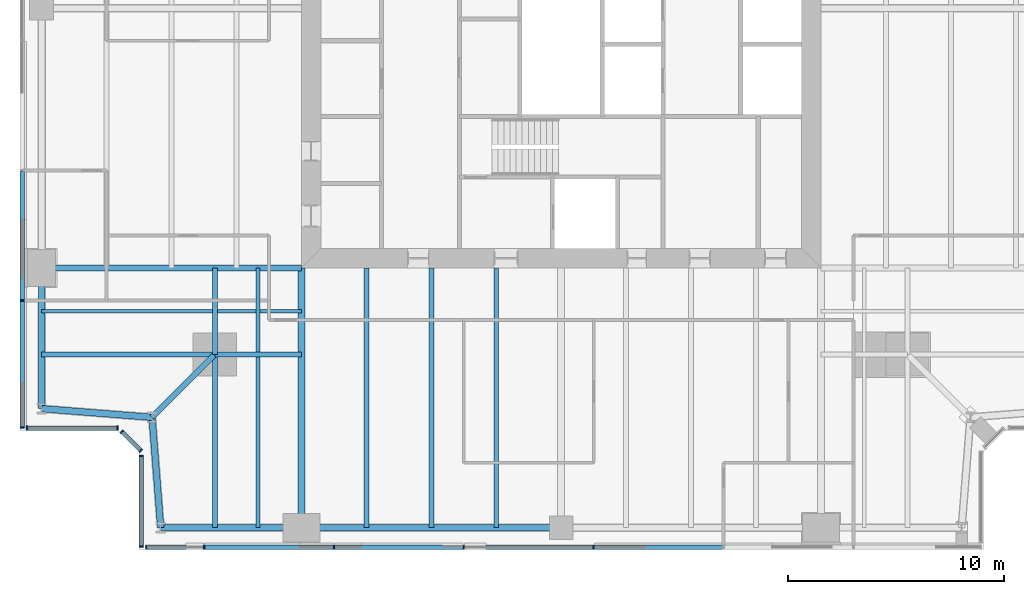
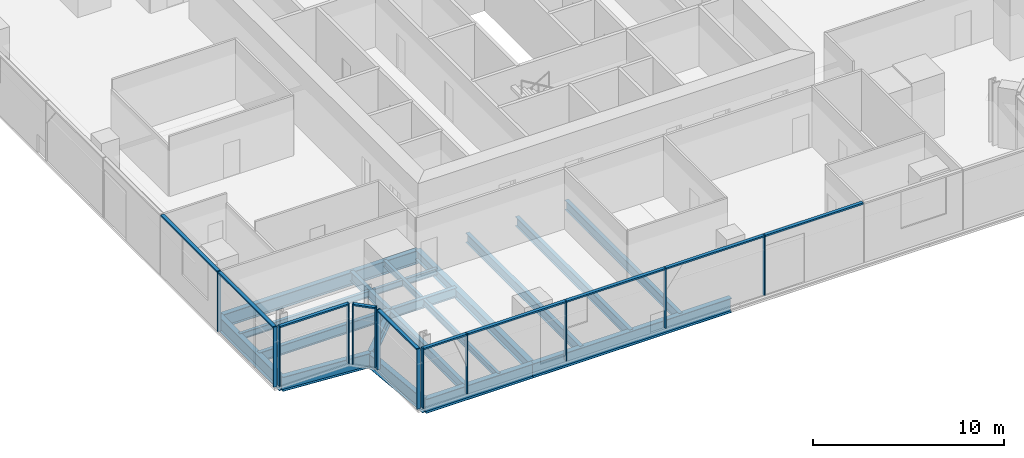
# One storey, part 2 of 14: 23 members, 20 beams, 5 elements without a shape of their own.
"""IFC4 building model written with IfcOpenShell, lengths in metres."""

from ifc_helpers import new_model, si_unit, direction, frame, origin, origin_2d, place, context, subcontext, project, spatial, rectangle, i_section, extrude, material, material_profile, profile_set, type_object, element, aggregate, save


model = new_model("IFC4")

# Units and contexts
model_context = context("Model", 3, precision=1e-05, world=origin(), true_north=direction((0.0, 1.0)))
body_context = subcontext(model_context, "Body", "Model", "MODEL_VIEW")
ifc_project = project(units=[si_unit("LENGTHUNIT", "METRE"), si_unit("AREAUNIT", "SQUARE_METRE"), si_unit("VOLUMEUNIT", "CUBIC_METRE"), si_unit("PLANEANGLEUNIT", "RADIAN"), si_unit("MASSUNIT", "GRAM", prefix="KILO")], contexts=[model_context])

# Site, building, storey
site_placement = place(None, origin())
site = spatial("IfcSite", under=ifc_project, at=site_placement, CompositionType="ELEMENT")
building_placement = place(site_placement, origin())
building = spatial("IfcBuilding", under=site, at=building_placement, Name="Fenwick Lantern Interchange", CompositionType="ELEMENT")
storey_placement = place(building_placement, frame((0.0, 0.0, 205.800048828125)))
storey = spatial("IfcBuildingStorey", under=building, at=storey_placement, Name="L48", CompositionType="ELEMENT", Elevation=205.800048828125)

# Beams
ifc_material_1 = material(Name="Steel ASTM A992 Grade 50", Category="steel")
ifc_material_profile_1 = material_profile(ifc_material_1, i_section(OverallWidth=0.3046875, OverallDepth=0.911865234375, WebThickness=0.015869140625, FlangeThickness=0.02392578125, at=origin_2d()), Name="W36X150")
ifc_profile_set_1 = profile_set([ifc_material_profile_1], Name="Steel ASTM A992 Grade 50")
beam_type_1 = type_object("IfcBeamType", Name="EDGE BEAM W36X150", PredefinedType="SPANDREL", material=ifc_profile_set_1)
beam_1_placement = place(storey_placement, frame((6.5, 1.0, -0.60595703125), z_axis=(1.0, 0.0, 0.0), x_axis=(0.0, 1.0, 0.0)))
element("IfcBeam", 1, at=beam_1_placement, inside=storey, type_object=beam_type_1, Name="L48/FR/S/EB1", PredefinedType="SPANDREL", context=body_context, shape_type="SweptSolid", body=[
    extrude(i_section(OverallWidth=0.3046875, OverallDepth=0.911865234375, WebThickness=0.015869140625, FlangeThickness=0.02392578125, at=origin_2d()), origin(), (0.0, 0.0, 1.0), 6.5),
])
beam_2_placement = place(storey_placement, frame((13.0, 1.0, -0.60595703125), z_axis=(1.0, 0.0, 0.0), x_axis=(0.0, 1.0, 0.0)))
element("IfcBeam", 2, at=beam_2_placement, inside=storey, type_object=beam_type_1, Name="L48/FR/S/EB2", PredefinedType="SPANDREL", context=body_context, shape_type="SweptSolid", body=[
    extrude(i_section(OverallWidth=0.3046875, OverallDepth=0.911865234375, WebThickness=0.015869140625, FlangeThickness=0.02392578125, at=origin_2d()), origin(), (0.0, 0.0, 1.0), 12.0),
])
beam_3_placement = place(storey_placement, frame((1.0, 13.0, -0.60595703125), z_axis=(0.0, -1.0, 0.0), x_axis=(1.0, 0.0, 0.0)))
element("IfcBeam", 3, at=beam_3_placement, inside=storey, type_object=beam_type_1, Name="L48/FR/W/EB4", PredefinedType="SPANDREL", context=body_context, shape_type="SweptSolid", body=[
    extrude(i_section(OverallWidth=0.3046875, OverallDepth=0.911865234375, WebThickness=0.015869140625, FlangeThickness=0.02392578125, at=origin_2d()), origin(), (0.0, 0.0, 1.0), 6.5),
])
for number, where, z_axis, x_axis, name in (
    (4, (1.0, 6.5, -0.60595703125), (0.99693998236, -0.078170784639, 0.0), (0.078170784639, 0.99693998236, 0.0), "L48/FR/W/EBR1"),
    (5, (6.10009765625, 6.10009765625, -0.60595703125), (0.078170784639, -0.99693998236, 0.0), (0.99693998236, 0.078170784639, 0.0), "L48/FR/W/EBR2"),
):
    element("IfcBeam", number, at=place(storey_placement, frame(where, z_axis=z_axis, x_axis=x_axis)), inside=storey, type_object=beam_type_1, Name=name, PredefinedType="SPANDREL", context=body_context, shape_type="SweptSolid", body=[
        extrude(i_section(OverallWidth=0.3046875, OverallDepth=0.911865234375, WebThickness=0.015869140625, FlangeThickness=0.02392578125, at=origin_2d()), origin(), (0.0, 0.0, 1.0), 5.11572265625),
    ])
ifc_material_profile_2 = material_profile(ifc_material_1, i_section(OverallWidth=0.22900390625, OverallDepth=0.612060546875, WebThickness=0.011962890625, FlangeThickness=0.01953125, at=origin_2d()), Name="W24X84")
ifc_profile_set_2 = profile_set([ifc_material_profile_2], Name="Steel ASTM A992 Grade 50")
beam_type_2 = type_object("IfcBeamType", Name="FLOOR BEAM W24X84", PredefinedType="BEAM", material=ifc_profile_set_2)
for number, where, z_axis, x_axis, name in (
    (6, (16.0, 1.0, -0.4560546875), (0.0, 1.0, 0.0), (-1.0, 0.0, 0.0), "L48/FR/S/R02"),
    (7, (19.0, 1.0, -0.4560546875), (0.0, 1.0, 0.0), (-1.0, 0.0, 0.0), "L48/FR/S/R03"),
    (8, (22.0, 1.0, -0.4560546875), (0.0, 1.0, 0.0), (-1.0, 0.0, 0.0), "L48/FR/S/R04"),
):
    element("IfcBeam", number, at=place(storey_placement, frame(where, z_axis=z_axis, x_axis=x_axis)), inside=storey, type_object=beam_type_2, Name=name, PredefinedType="BEAM", context=body_context, shape_type="SweptSolid", body=[
        extrude(i_section(OverallWidth=0.22900390625, OverallDepth=0.612060546875, WebThickness=0.011962890625, FlangeThickness=0.01953125, at=origin_2d()), origin(), (0.0, 0.0, 1.0), 12.0),
    ])
ifc_material_profile_3 = material_profile(ifc_material_1, i_section(OverallWidth=0.177734375, OverallDepth=0.406494140625, WebThickness=0.0078125, FlangeThickness=0.012939453125, at=origin_2d()), Name="W16X40")
ifc_profile_set_3 = profile_set([ifc_material_profile_3], Name="Steel ASTM A992 Grade 50")
beam_type_3 = type_object("IfcBeamType", Name="INFILL BEAM W16X40", PredefinedType="JOIST", material=ifc_profile_set_3)
beam_4_placement = place(storey_placement, frame((11.0, 1.0, -0.353271484375), z_axis=(0.0, 1.0, 0.0), x_axis=(-1.0, 0.0, 0.0)))
element("IfcBeam", 9, at=beam_4_placement, inside=storey, type_object=beam_type_3, Name="L48/FR/S/J1", PredefinedType="JOIST", context=body_context, shape_type="SweptSolid", body=[
    extrude(i_section(OverallWidth=0.177734375, OverallDepth=0.406494140625, WebThickness=0.0078125, FlangeThickness=0.012939453125, at=origin_2d()), origin(), (0.0, 0.0, 1.0), 7.885498046875),
])
beam_5_placement = place(storey_placement, frame((11.0, 9.114501953125, -0.353271484375), z_axis=(0.0, 1.0, 0.0), x_axis=(-1.0, 0.0, 0.0)))
element("IfcBeam", 10, at=beam_5_placement, inside=storey, type_object=beam_type_3, Name="L48/FR/S/J2", PredefinedType="JOIST", context=body_context, shape_type="SweptSolid", body=[
    extrude(i_section(OverallWidth=0.177734375, OverallDepth=0.406494140625, WebThickness=0.0078125, FlangeThickness=0.012939453125, at=origin_2d()), origin(), (0.0, 0.0, 1.0), 3.885498046875),
])
beam_6_placement = place(storey_placement, frame((1.0, 11.0, -0.353271484375), z_axis=(1.0, 0.0, 0.0), x_axis=(0.0, 1.0, 0.0)))
element("IfcBeam", 11, at=beam_6_placement, inside=storey, type_object=beam_type_3, Name="L48/FR/S/J3", PredefinedType="JOIST", context=body_context, shape_type="SweptSolid", body=[
    extrude(i_section(OverallWidth=0.177734375, OverallDepth=0.406494140625, WebThickness=0.0078125, FlangeThickness=0.012939453125, at=origin_2d()), origin(), (0.0, 0.0, 1.0), 7.885498046875),
])
beam_7_placement = place(storey_placement, frame((9.114501953125, 11.0, -0.353271484375), z_axis=(1.0, 0.0, 0.0), x_axis=(0.0, 1.0, 0.0)))
element("IfcBeam", 12, at=beam_7_placement, inside=storey, type_object=beam_type_3, Name="L48/FR/S/J4", PredefinedType="JOIST", context=body_context, shape_type="SweptSolid", body=[
    extrude(i_section(OverallWidth=0.177734375, OverallDepth=0.406494140625, WebThickness=0.0078125, FlangeThickness=0.012939453125, at=origin_2d()), origin(), (0.0, 0.0, 1.0), 1.796630859375),
])
beam_8_placement = place(storey_placement, frame((11.0888671875, 11.0, -0.353271484375), z_axis=(1.0, 0.0, 0.0), x_axis=(0.0, 1.0, 0.0)))
element("IfcBeam", 13, at=beam_8_placement, inside=storey, type_object=beam_type_3, Name="L48/FR/S/J5", PredefinedType="JOIST", context=body_context, shape_type="SweptSolid", body=[
    extrude(i_section(OverallWidth=0.177734375, OverallDepth=0.406494140625, WebThickness=0.0078125, FlangeThickness=0.012939453125, at=origin_2d()), origin(), (0.0, 0.0, 1.0), 1.9111328125),
])
ifc_material_profile_4 = material_profile(ifc_material_1, i_section(OverallWidth=0.22900390625, OverallDepth=0.612060546875, WebThickness=0.011962890625, FlangeThickness=0.01953125, at=origin_2d()), Name="W24X84")
ifc_profile_set_4 = profile_set([ifc_material_profile_4], Name="Steel ASTM A992 Grade 50")
beam_type_4 = type_object("IfcBeamType", Name="MEGA COLUMN BEAM W24X84", PredefinedType="BEAM", material=ifc_profile_set_4)
for number, where, z_axis, x_axis, name in (
    (14, (9.0, 9.0, -0.4560546875), (0.0, -1.0, 0.0), (1.0, 0.0, 0.0), "L48/FR/S/MB1"),
    (15, (9.0, 9.0, -0.4560546875), (-1.0, 0.0, 0.0), (0.0, -1.0, 0.0), "L48/FR/S/MB2"),
):
    element("IfcBeam", number, at=place(storey_placement, frame(where, z_axis=z_axis, x_axis=x_axis)), inside=storey, type_object=beam_type_4, Name=name, PredefinedType="BEAM", context=body_context, shape_type="SweptSolid", body=[
        extrude(i_section(OverallWidth=0.22900390625, OverallDepth=0.612060546875, WebThickness=0.011962890625, FlangeThickness=0.01953125, at=origin_2d()), origin(), (0.0, 0.0, 1.0), 8.0),
    ])
for number, where, z_axis, x_axis, name in (
    (16, (9.0, 9.0, -0.4560546875), (1.0, 0.0, 0.0), (0.0, 1.0, 0.0), "L48/FR/S/MB3"),
    (17, (9.0, 9.0, -0.4560546875), (0.0, 1.0, 0.0), (-1.0, 0.0, 0.0), "L48/FR/S/MB4"),
):
    element("IfcBeam", number, at=place(storey_placement, frame(where, z_axis=z_axis, x_axis=x_axis)), inside=storey, type_object=beam_type_4, Name=name, PredefinedType="BEAM", context=body_context, shape_type="SweptSolid", body=[
        extrude(i_section(OverallWidth=0.22900390625, OverallDepth=0.612060546875, WebThickness=0.011962890625, FlangeThickness=0.01953125, at=origin_2d()), origin(), (0.0, 0.0, 1.0), 4.0),
    ])
ifc_material_profile_5 = material_profile(ifc_material_1, i_section(OverallWidth=0.32763671875, OverallDepth=0.622314453125, WebThickness=0.015380859375, FlangeThickness=0.0244140625, at=origin_2d()), Name="W24X131")
ifc_profile_set_5 = profile_set([ifc_material_profile_5], Name="Steel ASTM A992 Grade 50")
beam_type_5 = type_object("IfcBeamType", Name="MOMENT-CONNECTED GIRDER W24X131", PredefinedType="BEAM", material=ifc_profile_set_5)
beam_9_placement = place(storey_placement, frame((13.0, 1.0, -0.461181640625), z_axis=(0.0, 1.0, 0.0), x_axis=(-1.0, 0.0, 0.0)))
element("IfcBeam", 18, at=beam_9_placement, inside=storey, type_object=beam_type_5, Name="L48/FR/S/R01", PredefinedType="BEAM", context=body_context, shape_type="SweptSolid", body=[
    extrude(i_section(OverallWidth=0.32763671875, OverallDepth=0.622314453125, WebThickness=0.015380859375, FlangeThickness=0.0244140625, at=origin_2d()), origin(), (0.0, 0.0, 1.0), 12.0),
])
ifc_material_profile_6 = material_profile(ifc_material_1, i_section(OverallWidth=0.2919921875, OverallDepth=0.845703125, WebThickness=0.015380859375, FlangeThickness=0.0244140625, at=origin_2d()), Name="W33X141")
ifc_profile_set_6 = profile_set([ifc_material_profile_6], Name="Steel ASTM A992 Grade 50")
beam_type_6 = type_object("IfcBeamType", Name="MOMENT-CONNECTED GIRDER W33X141", PredefinedType="BEAM", material=ifc_profile_set_6)
beam_10_placement = place(storey_placement, frame((1.0, 13.0, -0.572998046875), z_axis=(1.0, 0.0, 0.0), x_axis=(0.0, 1.0, 0.0)))
element("IfcBeam", 19, at=beam_10_placement, inside=storey, type_object=beam_type_6, Name="L48/FR/W/R03", PredefinedType="BEAM", context=body_context, shape_type="SweptSolid", body=[
    extrude(i_section(OverallWidth=0.2919921875, OverallDepth=0.845703125, WebThickness=0.015380859375, FlangeThickness=0.0244140625, at=origin_2d()), origin(), (0.0, 0.0, 1.0), 12.0),
])
ifc_material_profile_7 = material_profile(ifc_material_1, i_section(OverallWidth=0.2666015625, OverallDepth=0.7568359375, WebThickness=0.013916015625, FlangeThickness=0.019287109375, at=origin_2d()), Name="W30X108")
ifc_profile_set_7 = profile_set([ifc_material_profile_7], Name="Steel ASTM A992 Grade 50")
beam_type_7 = type_object("IfcBeamType", Name="NOTCH BEAM W30X108", PredefinedType="BEAM", material=ifc_profile_set_7)
beam_11_placement = place(storey_placement, frame((9.0, 9.0, -0.528564453125), z_axis=(-0.707106781187, -0.707106781187, 0.0), x_axis=(0.707106781187, -0.707106781187, 0.0)))
element("IfcBeam", 20, at=beam_11_placement, inside=storey, type_object=beam_type_7, Name="L48/FR/S/TG", PredefinedType="BEAM", context=body_context, shape_type="SweptSolid", body=[
    extrude(i_section(OverallWidth=0.2666015625, OverallDepth=0.7568359375, WebThickness=0.013916015625, FlangeThickness=0.019287109375, at=origin_2d()), origin(), (0.0, 0.0, 1.0), 4.10107421875),
])

# Curtain wall, members
ifc_material_2 = material(Name="Aluminium curtain wall frame", Category="aluminium")
curtain_wall_type = type_object("IfcCurtainWallType", Name="OFFICE CURTAIN WALL", PredefinedType="USERDEFINED", material=ifc_material_2)
curtain_wall_1_placement = place(storey_placement, origin())
curtain_wall_1 = element("IfcCurtainWall", 21, at=curtain_wall_1_placement, inside=storey, type_object=curtain_wall_type, Name="Office curtain wall 01", ObjectType="OFFICE CURTAIN WALL", PredefinedType="USERDEFINED")
ifc_material_3 = material(Name="Aluminium extrusion", Category="aluminium")
ifc_material_profile_8 = material_profile(ifc_material_3, rectangle(XDim=0.199951171875, YDim=0.06494140625, at=origin_2d()), Name="OFFICE CURTAIN WALL MULLION 65 X 200")
ifc_profile_set_8 = profile_set([ifc_material_profile_8], Name="Aluminium extrusion")
member_type_1 = type_object("IfcMemberType", Name="OFFICE CURTAIN WALL MULLION 65 X 200", PredefinedType="MULLION", material=ifc_profile_set_8)
member_1_placement = place(storey_placement, frame((5.83251953125, 0.10009765625, 0.0), z_axis=(0.0, 0.0, 1.0), x_axis=(0.0, 1.0, 0.0)))
member_1 = element("IfcMember", 22, at=member_1_placement, type_object=member_type_1, Name="L48/CW/01/M00", PredefinedType="MULLION", context=body_context, shape_type="SweptSolid", body=[
    extrude(rectangle(XDim=0.199951171875, YDim=0.06494140625, at=origin_2d()), origin(), (0.0, 0.0, 1.0), 3.849853515625),
])
member_2_placement = place(storey_placement, frame((8.5, 0.10009765625, 0.0), z_axis=(0.0, 0.0, 1.0), x_axis=(0.0, 1.0, 0.0)))
member_2 = element("IfcMember", 23, at=member_2_placement, type_object=member_type_1, Name="L48/CW/01/M01", PredefinedType="MULLION", context=body_context, shape_type="SweptSolid", body=[
    extrude(rectangle(XDim=0.199951171875, YDim=0.06494140625, at=origin_2d()), origin(), (0.0, 0.0, 1.0), 3.849853515625),
])
member_3_placement = place(storey_placement, frame((14.5, 0.10009765625, 0.0), z_axis=(0.0, 0.0, 1.0), x_axis=(0.0, 1.0, 0.0)))
member_3 = element("IfcMember", 24, at=member_3_placement, type_object=member_type_1, Name="L48/CW/01/M02", PredefinedType="MULLION", context=body_context, shape_type="SweptSolid", body=[
    extrude(rectangle(XDim=0.199951171875, YDim=0.06494140625, at=origin_2d()), origin(), (0.0, 0.0, 1.0), 3.849853515625),
])
member_4_placement = place(storey_placement, frame((20.5, 0.10009765625, 0.0), z_axis=(0.0, 0.0, 1.0), x_axis=(0.0, 1.0, 0.0)))
member_4 = element("IfcMember", 25, at=member_4_placement, type_object=member_type_1, Name="L48/CW/01/M03", PredefinedType="MULLION", context=body_context, shape_type="SweptSolid", body=[
    extrude(rectangle(XDim=0.199951171875, YDim=0.06494140625, at=origin_2d()), origin(), (0.0, 0.0, 1.0), 3.849853515625),
])
member_5_placement = place(storey_placement, frame((26.5, 0.10009765625, 0.0), z_axis=(0.0, 0.0, 1.0), x_axis=(0.0, 1.0, 0.0)))
member_5 = element("IfcMember", 26, at=member_5_placement, type_object=member_type_1, Name="L48/CW/01/M04", PredefinedType="MULLION", context=body_context, shape_type="SweptSolid", body=[
    extrude(rectangle(XDim=0.199951171875, YDim=0.06494140625, at=origin_2d()), origin(), (0.0, 0.0, 1.0), 3.849853515625),
])

curtain_wall_2_placement = place(storey_placement, origin())
curtain_wall_2 = element("IfcCurtainWall", 27, at=curtain_wall_2_placement, inside=storey, type_object=curtain_wall_type, Name="Office curtain wall 13", ObjectType="OFFICE CURTAIN WALL", PredefinedType="USERDEFINED")
member_6_placement = place(storey_placement, frame((0.10009765625, 11.5, 0.0), z_axis=(0.0, 0.0, 1.0), x_axis=(1.0, 0.0, 0.0)))
member_6 = element("IfcMember", 28, at=member_6_placement, type_object=member_type_1, Name="L48/CW/13/M06", PredefinedType="MULLION", context=body_context, shape_type="SweptSolid", body=[
    extrude(rectangle(XDim=0.199951171875, YDim=0.06494140625, at=origin_2d()), origin(), (0.0, 0.0, 1.0), 3.849853515625),
])
member_7_placement = place(storey_placement, frame((0.10009765625, 5.632568359375, 0.0), z_axis=(0.0, 0.0, 1.0), x_axis=(1.0, 0.0, 0.0)))
member_7 = element("IfcMember", 29, at=member_7_placement, type_object=member_type_1, Name="L48/CW/13/M07", PredefinedType="MULLION", context=body_context, shape_type="SweptSolid", body=[
    extrude(rectangle(XDim=0.199951171875, YDim=0.06494140625, at=origin_2d()), origin(), (0.0, 0.0, 1.0), 3.849853515625),
])

curtain_wall_3_placement = place(storey_placement, origin())
curtain_wall_3 = element("IfcCurtainWall", 30, at=curtain_wall_3_placement, inside=storey, type_object=curtain_wall_type, Name="Office curtain wall 14", ObjectType="OFFICE CURTAIN WALL", PredefinedType="USERDEFINED")
member_8_placement = place(storey_placement, frame((0.33251953125, 5.60009765625, 0.0), z_axis=(0.0, 0.0, 1.0), x_axis=(0.0, 1.0, 0.0)))
member_8 = element("IfcMember", 31, at=member_8_placement, type_object=member_type_1, Name="L48/CW/14/M00", PredefinedType="MULLION", context=body_context, shape_type="SweptSolid", body=[
    extrude(rectangle(XDim=0.199951171875, YDim=0.06494140625, at=origin_2d()), origin(), (0.0, 0.0, 1.0), 3.849853515625),
])
member_9_placement = place(storey_placement, frame((4.509033203125, 5.60009765625, 0.0), z_axis=(0.0, 0.0, 1.0), x_axis=(0.0, 1.0, 0.0)))
member_9 = element("IfcMember", 32, at=member_9_placement, type_object=member_type_1, Name="L48/CW/14/M01", PredefinedType="MULLION", context=body_context, shape_type="SweptSolid", body=[
    extrude(rectangle(XDim=0.199951171875, YDim=0.06494140625, at=origin_2d()), origin(), (0.0, 0.0, 1.0), 3.849853515625),
])

curtain_wall_4_placement = place(storey_placement, origin())
curtain_wall_4 = element("IfcCurtainWall", 33, at=curtain_wall_4_placement, inside=storey, type_object=curtain_wall_type, Name="Office curtain wall 15", ObjectType="OFFICE CURTAIN WALL", PredefinedType="USERDEFINED")
member_10_placement = place(storey_placement, frame((4.705810546875, 5.435546875, 0.0), z_axis=(0.0, 0.0, 1.0), x_axis=(0.707106781187, 0.707106781187, 0.0)))
member_10 = element("IfcMember", 34, at=member_10_placement, type_object=member_type_1, Name="L48/CW/15/M00", PredefinedType="MULLION", context=body_context, shape_type="SweptSolid", body=[
    extrude(rectangle(XDim=0.199951171875, YDim=0.06494140625, at=origin_2d()), origin(), (0.0, 0.0, 1.0), 3.849853515625),
])
member_11_placement = place(storey_placement, frame((5.576904296875, 4.564453125, 0.0), z_axis=(0.0, 0.0, 1.0), x_axis=(0.707106781187, 0.707106781187, 0.0)))
member_11 = element("IfcMember", 35, at=member_11_placement, type_object=member_type_1, Name="L48/CW/15/M01", PredefinedType="MULLION", context=body_context, shape_type="SweptSolid", body=[
    extrude(rectangle(XDim=0.199951171875, YDim=0.06494140625, at=origin_2d()), origin(), (0.0, 0.0, 1.0), 3.849853515625),
])

curtain_wall_5_placement = place(storey_placement, origin())
curtain_wall_5 = element("IfcCurtainWall", 36, at=curtain_wall_5_placement, inside=storey, type_object=curtain_wall_type, Name="Office curtain wall 16", ObjectType="OFFICE CURTAIN WALL", PredefinedType="USERDEFINED")
member_12_placement = place(storey_placement, frame((5.60009765625, 4.308837890625, 0.0), z_axis=(0.0, 0.0, 1.0), x_axis=(1.0, 0.0, 0.0)))
member_12 = element("IfcMember", 37, at=member_12_placement, type_object=member_type_1, Name="L48/CW/16/M00", PredefinedType="MULLION", context=body_context, shape_type="SweptSolid", body=[
    extrude(rectangle(XDim=0.199951171875, YDim=0.06494140625, at=origin_2d()), origin(), (0.0, 0.0, 1.0), 3.849853515625),
])
member_13_placement = place(storey_placement, frame((5.60009765625, 0.132568359375, 0.0), z_axis=(0.0, 0.0, 1.0), x_axis=(1.0, 0.0, 0.0)))
member_13 = element("IfcMember", 38, at=member_13_placement, type_object=member_type_1, Name="L48/CW/16/M01", PredefinedType="MULLION", context=body_context, shape_type="SweptSolid", body=[
    extrude(rectangle(XDim=0.199951171875, YDim=0.06494140625, at=origin_2d()), origin(), (0.0, 0.0, 1.0), 3.849853515625),
])

# Member
ifc_material_profile_9 = material_profile(ifc_material_3, rectangle(XDim=0.199951171875, YDim=0.10009765625, at=origin_2d()), Name="OFFICE CURTAIN WALL TRANSOM 100 X 200")
ifc_profile_set_9 = profile_set([ifc_material_profile_9], Name="Aluminium extrusion")
member_type_2 = type_object("IfcMemberType", Name="OFFICE CURTAIN WALL TRANSOM 100 X 200", PredefinedType="MULLION", material=ifc_profile_set_9)
member_14_placement = place(storey_placement, frame((5.864990234375, 0.10009765625, 3.800048828125), z_axis=(1.0, 0.0, 0.0), x_axis=(0.0, 1.0, 0.0)))
member_14 = element("IfcMember", 39, at=member_14_placement, type_object=member_type_2, Name="L48/CW/01/T00", PredefinedType="MULLION", context=body_context, shape_type="SweptSolid", body=[
    extrude(rectangle(XDim=0.199951171875, YDim=0.10009765625, at=origin_2d()), origin(), (0.0, 0.0, 1.0), 2.6025390625),
])

member_15_placement = place(storey_placement, frame((8.532470703125, 0.10009765625, 3.800048828125), z_axis=(1.0, 0.0, 0.0), x_axis=(0.0, 1.0, 0.0)))
member_15 = element("IfcMember", 40, at=member_15_placement, type_object=member_type_2, Name="L48/CW/01/T01", PredefinedType="MULLION", context=body_context, shape_type="SweptSolid", body=[
    extrude(rectangle(XDim=0.199951171875, YDim=0.10009765625, at=origin_2d()), origin(), (0.0, 0.0, 1.0), 5.93505859375),
])

member_16_placement = place(storey_placement, frame((14.532470703125, 0.10009765625, 3.800048828125), z_axis=(1.0, 0.0, 0.0), x_axis=(0.0, 1.0, 0.0)))
member_16 = element("IfcMember", 41, at=member_16_placement, type_object=member_type_2, Name="L48/CW/01/T02", PredefinedType="MULLION", context=body_context, shape_type="SweptSolid", body=[
    extrude(rectangle(XDim=0.199951171875, YDim=0.10009765625, at=origin_2d()), origin(), (0.0, 0.0, 1.0), 5.93505859375),
])

member_17_placement = place(storey_placement, frame((20.532470703125, 0.10009765625, 3.800048828125), z_axis=(1.0, 0.0, 0.0), x_axis=(0.0, 1.0, 0.0)))
member_17 = element("IfcMember", 42, at=member_17_placement, type_object=member_type_2, Name="L48/CW/01/T03", PredefinedType="MULLION", context=body_context, shape_type="SweptSolid", body=[
    extrude(rectangle(XDim=0.199951171875, YDim=0.10009765625, at=origin_2d()), origin(), (0.0, 0.0, 1.0), 5.93505859375),
])

member_18_placement = place(storey_placement, frame((26.532470703125, 0.10009765625, 3.800048828125), z_axis=(1.0, 0.0, 0.0), x_axis=(0.0, 1.0, 0.0)))
member_18 = element("IfcMember", 43, at=member_18_placement, type_object=member_type_2, Name="L48/CW/01/T04", PredefinedType="MULLION", context=body_context, shape_type="SweptSolid", body=[
    extrude(rectangle(XDim=0.199951171875, YDim=0.10009765625, at=origin_2d()), origin(), (0.0, 0.0, 1.0), 5.93505859375),
])

aggregate(curtain_wall_1, [member_1, member_2, member_3, member_4, member_5, member_14, member_15, member_16, member_17, member_18])

member_19_placement = place(storey_placement, frame((0.10009765625, 17.467529296875, 3.800048828125), z_axis=(0.0, -1.0, 0.0), x_axis=(1.0, 0.0, 0.0)))
member_19 = element("IfcMember", 44, at=member_19_placement, type_object=member_type_2, Name="L48/CW/13/T05", PredefinedType="MULLION", context=body_context, shape_type="SweptSolid", body=[
    extrude(rectangle(XDim=0.199951171875, YDim=0.10009765625, at=origin_2d()), origin(), (0.0, 0.0, 1.0), 5.93505859375),
])

member_20_placement = place(storey_placement, frame((0.10009765625, 11.467529296875, 3.800048828125), z_axis=(0.0, -1.0, 0.0), x_axis=(1.0, 0.0, 0.0)))
member_20 = element("IfcMember", 45, at=member_20_placement, type_object=member_type_2, Name="L48/CW/13/T06", PredefinedType="MULLION", context=body_context, shape_type="SweptSolid", body=[
    extrude(rectangle(XDim=0.199951171875, YDim=0.10009765625, at=origin_2d()), origin(), (0.0, 0.0, 1.0), 5.802490234375),
])

aggregate(curtain_wall_2, [member_6, member_7, member_19, member_20])

member_21_placement = place(storey_placement, frame((0.364990234375, 5.60009765625, 3.800048828125), z_axis=(1.0, 0.0, 0.0), x_axis=(0.0, 1.0, 0.0)))
member_21 = element("IfcMember", 46, at=member_21_placement, type_object=member_type_2, Name="L48/CW/14/T00", PredefinedType="MULLION", context=body_context, shape_type="SweptSolid", body=[
    extrude(rectangle(XDim=0.199951171875, YDim=0.10009765625, at=origin_2d()), origin(), (0.0, 0.0, 1.0), 4.111328125),
])

aggregate(curtain_wall_3, [member_8, member_9, member_21])

member_22_placement = place(storey_placement, frame((4.728759765625, 5.41259765625, 3.800048828125), z_axis=(0.707106781187, -0.707106781187, 0.0), x_axis=(0.707106781187, 0.707106781187, 0.0)))
member_22 = element("IfcMember", 47, at=member_22_placement, type_object=member_type_2, Name="L48/CW/15/T00", PredefinedType="MULLION", context=body_context, shape_type="SweptSolid", body=[
    extrude(rectangle(XDim=0.199951171875, YDim=0.10009765625, at=origin_2d()), origin(), (0.0, 0.0, 1.0), 1.1669921875),
])

aggregate(curtain_wall_4, [member_10, member_11, member_22])

member_23_placement = place(storey_placement, frame((5.60009765625, 4.2763671875, 3.800048828125), z_axis=(0.0, -1.0, 0.0), x_axis=(1.0, 0.0, 0.0)))
member_23 = element("IfcMember", 48, at=member_23_placement, type_object=member_type_2, Name="L48/CW/16/T00", PredefinedType="MULLION", context=body_context, shape_type="SweptSolid", body=[
    extrude(rectangle(XDim=0.199951171875, YDim=0.10009765625, at=origin_2d()), origin(), (0.0, 0.0, 1.0), 4.111328125),
])

aggregate(curtain_wall_5, [member_12, member_13, member_23])

save(model, "model.ifc")
